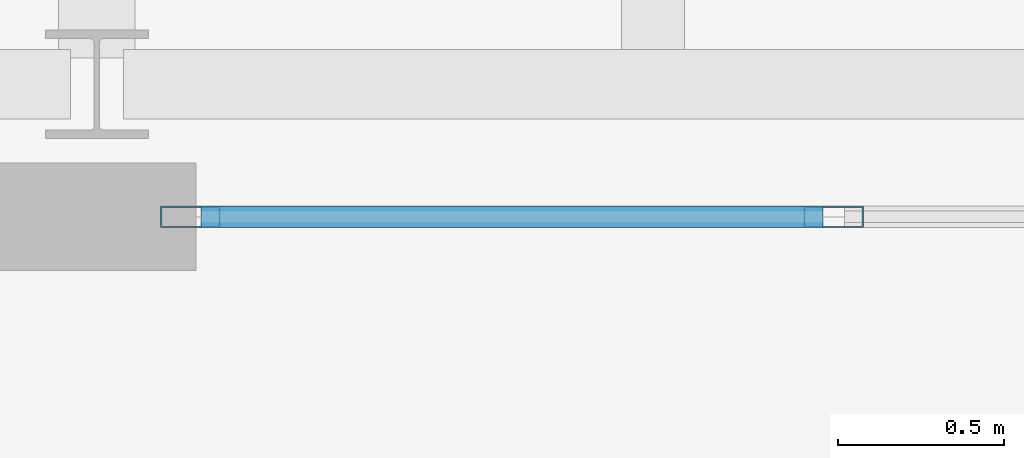
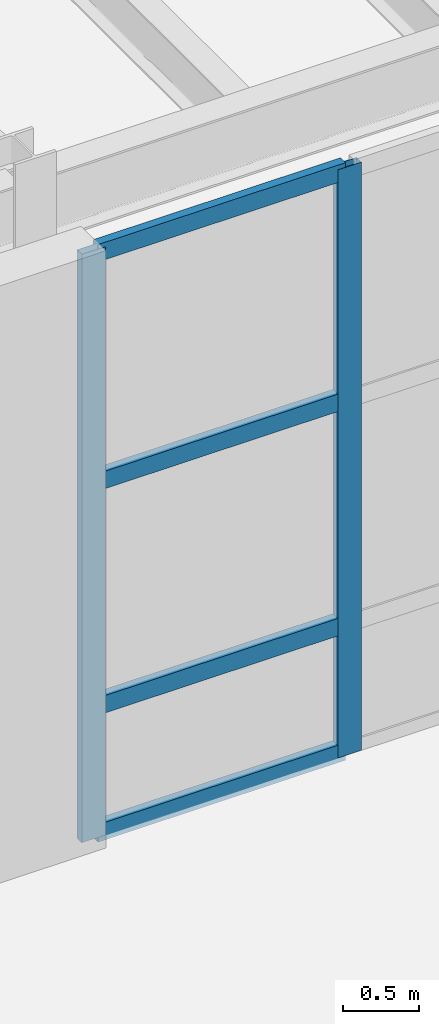
# One storey, part 38 of 87: 6 members, 1 element without a shape of its own.
"""IFC4 building model written with IfcOpenShell, lengths in metres."""

from ifc_helpers import new_model, si_unit, direction, frame, origin, origin_2d, place, context, subcontext, project, spatial, hollow_rectangle, extrude, material, layer, layer_set, material_profile, profile_set, type_object, element, aggregate, save


model = new_model("IFC4")

# Units and contexts
model_context = context("Model", 3, precision=1e-05, world=origin(), true_north=direction((0.0, 1.0)))
body_context = subcontext(model_context, "Body", "Model", "MODEL_VIEW")
ifc_project = project(units=[si_unit("LENGTHUNIT", "METRE"), si_unit("AREAUNIT", "SQUARE_METRE"), si_unit("VOLUMEUNIT", "CUBIC_METRE"), si_unit("PLANEANGLEUNIT", "RADIAN"), si_unit("MASSUNIT", "GRAM", prefix="KILO")], contexts=[model_context])

# Site, building, storey
site_placement = place(None, origin())
site = spatial("IfcSite", under=ifc_project, at=site_placement, CompositionType="ELEMENT")
building_placement = place(site_placement, origin())
building = spatial("IfcBuilding", under=site, at=building_placement, Name="Selat Folded Stagehouse", CompositionType="ELEMENT")
storey_placement = place(building_placement, origin())
storey = spatial("IfcBuildingStorey", under=building, at=storey_placement, Name="L00", CompositionType="ELEMENT", Elevation=0.0)

# Curtain wall, members
ifc_material = material(Name="Aluminium 6063-T6", Category="aluminium")
ifc_layer = layer(ifc_material, 0.2099609375)
ifc_layer_set = layer_set([ifc_layer], Name="Aluminium 6063-T6")
curtain_wall_type = type_object("IfcCurtainWallType", Name="CW-FYR-SOUTH", PredefinedType="NOTDEFINED", material=ifc_layer_set)
curtain_wall_placement = place(storey_placement, origin())
curtain_wall = element("IfcCurtainWall", 1, at=curtain_wall_placement, inside=storey, type_object=curtain_wall_type, Name="L00 curtain wall CW-FYR-L00-06", PredefinedType="NOTDEFINED")
ifc_material_profile_1 = material_profile(ifc_material, hollow_rectangle(XDim=0.06494140625, YDim=0.179931640625, WallThickness=0.00390625, at=origin_2d()), Name="ALU 180x65x4.0")
ifc_profile_set_1 = profile_set([ifc_material_profile_1], Name="Aluminium 6063-T6")
member_type_1 = type_object("IfcMemberType", Name="CWM-MUL-180x65", PredefinedType="MULLION", material=ifc_profile_set_1)
member_1_placement = place(storey_placement, frame((111.425048828125, 5.39990234375, 0.0), z_axis=(0.0, 0.0, 1.0), x_axis=(0.0, -1.0, 0.0)))
member_1 = element("IfcMember", 2, at=member_1_placement, type_object=member_type_1, Name="CW-04 mullion 4", PredefinedType="MULLION", context=body_context, shape_type="SweptSolid", body=[
    extrude(hollow_rectangle(XDim=0.06494140625, YDim=0.179931640625, WallThickness=0.00390625, at=origin_2d()), origin(), (0.0, 0.0, 1.0), 4.719970703125),
])
member_2_placement = place(storey_placement, frame((109.482421875, 5.39990234375, 0.0), z_axis=(0.0, 0.0, 1.0), x_axis=(0.0, -1.0, 0.0)))
member_2 = element("IfcMember", 3, at=member_2_placement, type_object=member_type_1, Name="CW-04 mullion 5", PredefinedType="MULLION", context=body_context, shape_type="SweptSolid", body=[
    extrude(hollow_rectangle(XDim=0.06494140625, YDim=0.179931640625, WallThickness=0.00390625, at=origin_2d()), origin(), (0.0, 0.0, 1.0), 4.719970703125),
])
ifc_material_profile_2 = material_profile(ifc_material, hollow_rectangle(XDim=0.06494140625, YDim=0.139892578125, WallThickness=0.00390625, at=origin_2d()), Name="ALU 140x65x4.0")
ifc_profile_set_2 = profile_set([ifc_material_profile_2], Name="Aluminium 6063-T6")
member_type_2 = type_object("IfcMemberType", Name="CWM-TRN-140x65", PredefinedType="USERDEFINED", material=ifc_profile_set_2)
member_3_placement = place(storey_placement, frame((111.392578125, 5.39990234375, 0.032470703125), z_axis=(-1.0, 0.0, 0.0), x_axis=(0.0, -1.0, 0.0)))
member_3 = element("IfcMember", 4, at=member_3_placement, type_object=member_type_2, Name="CW-04 transom 4.1", ObjectType="TRANSOM", PredefinedType="USERDEFINED", context=body_context, shape_type="SweptSolid", body=[
    extrude(hollow_rectangle(XDim=0.06494140625, YDim=0.139892578125, WallThickness=0.00390625, at=origin_2d()), origin(), (0.0, 0.0, 1.0), 1.877685546875),
])
member_4_placement = place(storey_placement, frame((111.392578125, 5.39990234375, 1.050048828125), z_axis=(-1.0, 0.0, 0.0), x_axis=(0.0, -1.0, 0.0)))
member_4 = element("IfcMember", 5, at=member_4_placement, type_object=member_type_2, Name="CW-04 transom 4.2", ObjectType="TRANSOM", PredefinedType="USERDEFINED", context=body_context, shape_type="SweptSolid", body=[
    extrude(hollow_rectangle(XDim=0.06494140625, YDim=0.139892578125, WallThickness=0.00390625, at=origin_2d()), origin(), (0.0, 0.0, 1.0), 1.877685546875),
])
member_5_placement = place(storey_placement, frame((111.392578125, 5.39990234375, 2.85009765625), z_axis=(-1.0, 0.0, 0.0), x_axis=(0.0, -1.0, 0.0)))
member_5 = element("IfcMember", 6, at=member_5_placement, type_object=member_type_2, Name="CW-04 transom 4.3", ObjectType="TRANSOM", PredefinedType="USERDEFINED", context=body_context, shape_type="SweptSolid", body=[
    extrude(hollow_rectangle(XDim=0.06494140625, YDim=0.139892578125, WallThickness=0.00390625, at=origin_2d()), origin(), (0.0, 0.0, 1.0), 1.877685546875),
])
member_6_placement = place(storey_placement, frame((111.392578125, 5.39990234375, 4.6875), z_axis=(-1.0, 0.0, 0.0), x_axis=(0.0, -1.0, 0.0)))
member_6 = element("IfcMember", 7, at=member_6_placement, type_object=member_type_2, Name="CW-04 transom 4.4", ObjectType="TRANSOM", PredefinedType="USERDEFINED", context=body_context, shape_type="SweptSolid", body=[
    extrude(hollow_rectangle(XDim=0.06494140625, YDim=0.139892578125, WallThickness=0.00390625, at=origin_2d()), origin(), (0.0, 0.0, 1.0), 1.877685546875),
])
aggregate(curtain_wall, [member_1, member_2, member_3, member_4, member_5, member_6])

save(model, "model.ifc")
